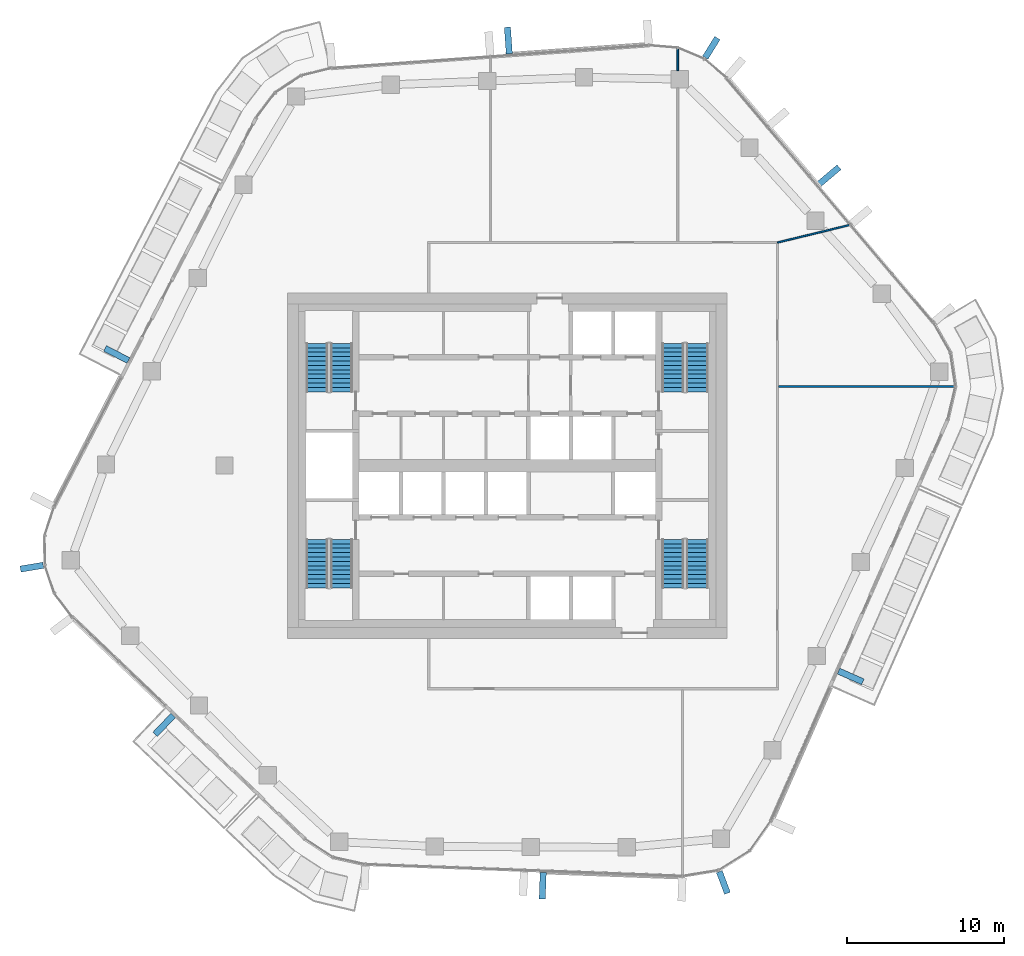
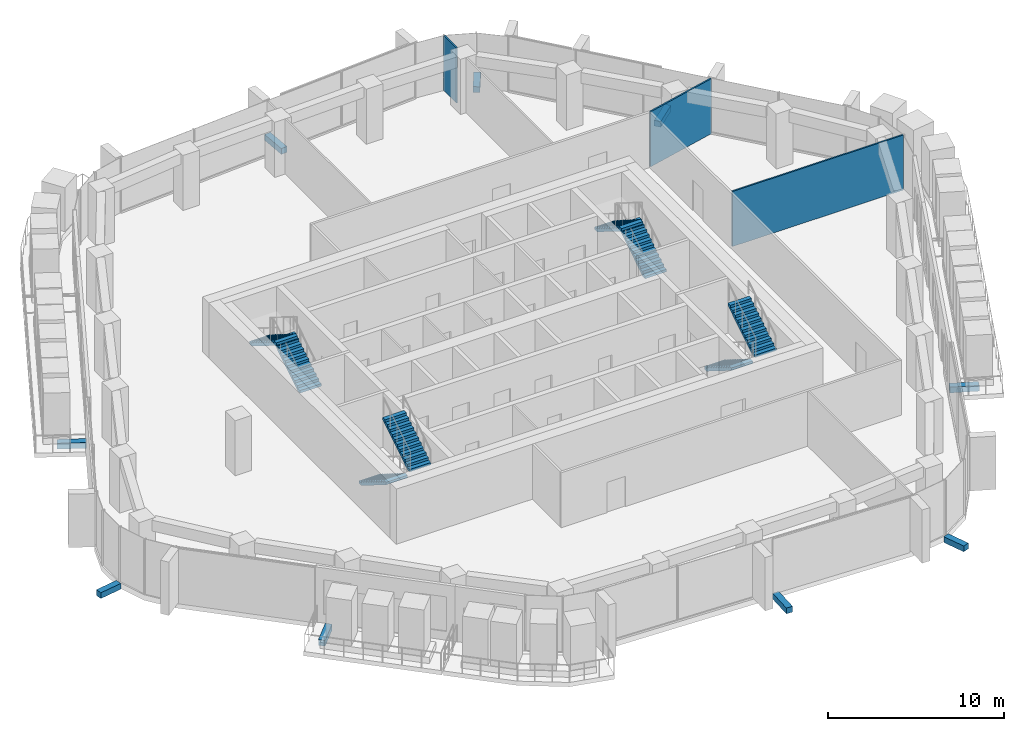
# One storey, part 14 of 21: 9 discrete accessories, 8 stair flights, 3 walls, 4 elements without a shape of their own.
"""IFC4 building model written with IfcOpenShell, lengths in metres."""

from ifc_helpers import new_model, si_unit, direction, frame, frame_2d, origin, origin_2d, place, context, subcontext, project, spatial, polyline, rectangle, outline, extrude, material, layer, layer_set, type_object, element, aggregate, save


model = new_model("IFC4")

# Units and contexts
model_context = context("Model", 3, precision=1e-05, world=origin(), true_north=direction((0.0, 1.0)))
body_context = subcontext(model_context, "Body", "Model", "MODEL_VIEW")
ifc_project = project(units=[si_unit("LENGTHUNIT", "METRE"), si_unit("AREAUNIT", "SQUARE_METRE"), si_unit("VOLUMEUNIT", "CUBIC_METRE"), si_unit("PLANEANGLEUNIT", "RADIAN"), si_unit("MASSUNIT", "GRAM", prefix="KILO")], contexts=[model_context])

# Site, building, storey
site_placement = place(None, origin())
site = spatial("IfcSite", under=ifc_project, at=site_placement, CompositionType="ELEMENT")
building_placement = place(site_placement, origin())
building = spatial("IfcBuilding", under=site, at=building_placement, Name="Dongbaek Canopy Tower", CompositionType="ELEMENT")
storey_placement = place(building_placement, frame((0.0, 0.0, 270.60009765625)))
storey = spatial("IfcBuildingStorey", under=building, at=storey_placement, Name="L57", CompositionType="ELEMENT", Elevation=270.60009765625)

# Walls
ifc_material_1 = material(Name="Gypsum board partition, steel stud, 2 x 12.5 mm board", Category="steel")
ifc_layer_1 = layer(ifc_material_1, 0.10009765625)
ifc_layer_set_1 = layer_set([ifc_layer_1], Name="Partition 100 gypsum board")
wall_type = type_object("IfcWallType", Name="Partition 100 gypsum board", PredefinedType="PARTITIONING", material=ifc_layer_set_1)
wall_1_placement = place(storey_placement, frame((17.27490234375, 5.033935546875, 0.0), z_axis=(0.0, 0.0, 1.0), x_axis=(1.0, 0.0, 0.0)))
element("IfcWall", 1, at=wall_1_placement, inside=storey, type_object=wall_type, Name="Partition", PredefinedType="PARTITIONING", context=body_context, shape_type="SweptSolid", body=[
    extrude(rectangle(XDim=11.22705078125, YDim=0.10009765625, at=frame_2d((5.613525390625, 0.0))), origin(), (0.0, 0.0, 1.0), 3.81982421875),
])
wall_2_placement = place(storey_placement, frame((17.199951171875, 14.2001953125, 0.0), z_axis=(0.0, 0.0, 1.0), x_axis=(0.971845844502, 0.235617602322, 0.0)))
element("IfcWall", 2, at=wall_2_placement, inside=storey, type_object=wall_type, Name="Partition", PredefinedType="PARTITIONING", context=body_context, shape_type="SweptSolid", body=[
    extrude(rectangle(XDim=4.7705078125, YDim=0.10009765625, at=frame_2d((2.38525390625, 0.0))), origin(), (0.0, 0.0, 1.0), 3.81982421875),
])
wall_3_placement = place(storey_placement, frame((10.85302734375, 25.14892578125, 0.0), z_axis=(0.0, 0.0, 1.0), x_axis=(0.0, 1.0, 0.0)))
element("IfcWall", 3, at=wall_3_placement, inside=storey, type_object=wall_type, Name="Partition", PredefinedType="PARTITIONING", context=body_context, shape_type="SweptSolid", body=[
    extrude(rectangle(XDim=1.42333984375, YDim=0.10009765625, at=frame_2d((0.711669921875, 0.0))), origin(), (0.0, 0.0, 1.0), 3.81982421875),
])

# Stair, stair flights
ifc_material_2 = material(Name="Concrete C40/50", Category="concrete")
stair_type = type_object("IfcStairType", Name="Core exit stair", PredefinedType="HALF_TURN_STAIR", material=ifc_material_2)
stair_1_placement = place(storey_placement, origin())
stair_1 = element("IfcStair", 4, at=stair_1_placement, inside=storey, type_object=stair_type, Name="L57 exit stair A", PredefinedType="HALF_TURN_STAIR")
ifc_material_3 = material(Name="Concrete C40/50", Category="concrete")
ifc_layer_2 = layer(ifc_material_3, 0.14990234375)
ifc_layer_set_2 = layer_set([ifc_layer_2], Name="Core stair flight 150 waist")
stair_flight_type = type_object("IfcStairFlightType", Name="Core stair flight 150 waist", PredefinedType="STRAIGHT", material=ifc_layer_set_2)
stair_flight_1_placement = place(storey_placement, frame((12.10009765625, 4.699951171875, 0.0), z_axis=(0.0, 0.0, 1.0), x_axis=(0.0, 1.0, 0.0)))
stair_flight_1 = element("IfcStairFlight", 5, at=stair_flight_1_placement, type_object=stair_flight_type, Name="ST-A flight 1", NumberOfRisers=12, NumberOfTreads=11, PredefinedType="STRAIGHT", RiserHeight=0.175, TreadLength=0.28, context=body_context, shape_type="SweptSolid", body=[
    extrude(outline(polyline([(0.0, 0.0), (0.0, 0.175048828125), (0.280029296875, 0.175048828125), (0.280029296875, 0.35009765625), (0.56005859375, 0.35009765625), (0.56005859375, 0.52490234375), (0.840087890625, 0.52490234375), (0.840087890625, 0.699951171875), (1.1201171875, 0.699951171875), (1.1201171875, 0.875), (1.39990234375, 0.875), (1.39990234375, 1.050048828125), (1.679931640625, 1.050048828125), (1.679931640625, 1.22509765625), (1.9599609375, 1.22509765625), (1.9599609375, 1.39990234375), (2.239990234375, 1.39990234375), (2.239990234375, 1.574951171875), (2.52001953125, 1.574951171875), (2.52001953125, 1.75), (2.800048828125, 1.75), (2.800048828125, 1.925048828125), (3.080078125, 1.925048828125), (3.080078125, 2.10009765625), (3.080078125, 1.748291015625), (0.28271484375, 0.0), (0.0, 0.0)])), frame((0.0, 0.699951171875, 0.0), z_axis=(0.0, -1.0, 0.0), x_axis=(1.0, 0.0, 0.0)), (0.0, 0.0, 1.0), 1.39990234375),
])
stair_flight_2_placement = place(storey_placement, frame((10.550048828125, 7.780029296875, 2.099853515625), z_axis=(0.0, 0.0, 1.0), x_axis=(0.0, -1.0, 0.0)))
stair_flight_2 = element("IfcStairFlight", 6, at=stair_flight_2_placement, type_object=stair_flight_type, Name="ST-A flight 2", NumberOfRisers=12, NumberOfTreads=11, PredefinedType="STRAIGHT", RiserHeight=0.175, TreadLength=0.28, context=body_context, shape_type="SweptSolid", body=[
    extrude(outline(polyline([(0.0, 0.0), (0.0, 0.175048828125), (0.280029296875, 0.175048828125), (0.280029296875, 0.35009765625), (0.56005859375, 0.35009765625), (0.56005859375, 0.52490234375), (0.840087890625, 0.52490234375), (0.840087890625, 0.699951171875), (1.1201171875, 0.699951171875), (1.1201171875, 0.875), (1.39990234375, 0.875), (1.39990234375, 1.050048828125), (1.679931640625, 1.050048828125), (1.679931640625, 1.22509765625), (1.9599609375, 1.22509765625), (1.9599609375, 1.39990234375), (2.239990234375, 1.39990234375), (2.239990234375, 1.574951171875), (2.52001953125, 1.574951171875), (2.52001953125, 1.75), (2.800048828125, 1.75), (2.800048828125, 1.925048828125), (3.080078125, 1.925048828125), (3.080078125, 2.10009765625), (3.080078125, 1.748291015625), (0.28271484375, 0.0), (0.0, 0.0)])), frame((0.0, 0.699951171875, 0.0), z_axis=(0.0, -1.0, 0.0), x_axis=(1.0, 0.0, 0.0)), (0.0, 0.0, 1.0), 1.39990234375),
])
aggregate(stair_1, [stair_flight_1, stair_flight_2])

stair_2_placement = place(storey_placement, origin())
stair_2 = element("IfcStair", 7, at=stair_2_placement, inside=storey, type_object=stair_type, Name="L57 exit stair C", PredefinedType="HALF_TURN_STAIR")
stair_flight_3_placement = place(storey_placement, frame((-10.550048828125, 4.699951171875, 0.0), z_axis=(0.0, 0.0, 1.0), x_axis=(0.0, 1.0, 0.0)))
stair_flight_3 = element("IfcStairFlight", 8, at=stair_flight_3_placement, type_object=stair_flight_type, Name="ST-C flight 1", NumberOfRisers=12, NumberOfTreads=11, PredefinedType="STRAIGHT", RiserHeight=0.175, TreadLength=0.28, context=body_context, shape_type="SweptSolid", body=[
    extrude(outline(polyline([(0.0, 0.0), (0.0, 0.175048828125), (0.280029296875, 0.175048828125), (0.280029296875, 0.35009765625), (0.56005859375, 0.35009765625), (0.56005859375, 0.52490234375), (0.840087890625, 0.52490234375), (0.840087890625, 0.699951171875), (1.1201171875, 0.699951171875), (1.1201171875, 0.875), (1.39990234375, 0.875), (1.39990234375, 1.050048828125), (1.679931640625, 1.050048828125), (1.679931640625, 1.22509765625), (1.9599609375, 1.22509765625), (1.9599609375, 1.39990234375), (2.239990234375, 1.39990234375), (2.239990234375, 1.574951171875), (2.52001953125, 1.574951171875), (2.52001953125, 1.75), (2.800048828125, 1.75), (2.800048828125, 1.925048828125), (3.080078125, 1.925048828125), (3.080078125, 2.10009765625), (3.080078125, 1.748291015625), (0.28271484375, 0.0), (0.0, 0.0)])), frame((0.0, 0.699951171875, 0.0), z_axis=(0.0, -1.0, 0.0), x_axis=(1.0, 0.0, 0.0)), (0.0, 0.0, 1.0), 1.39990234375),
])
stair_flight_4_placement = place(storey_placement, frame((-12.10009765625, 7.780029296875, 2.099853515625), z_axis=(0.0, 0.0, 1.0), x_axis=(0.0, -1.0, 0.0)))
stair_flight_4 = element("IfcStairFlight", 9, at=stair_flight_4_placement, type_object=stair_flight_type, Name="ST-C flight 2", NumberOfRisers=12, NumberOfTreads=11, PredefinedType="STRAIGHT", RiserHeight=0.175, TreadLength=0.28, context=body_context, shape_type="SweptSolid", body=[
    extrude(outline(polyline([(0.0, 0.0), (0.0, 0.175048828125), (0.280029296875, 0.175048828125), (0.280029296875, 0.35009765625), (0.56005859375, 0.35009765625), (0.56005859375, 0.52490234375), (0.840087890625, 0.52490234375), (0.840087890625, 0.699951171875), (1.1201171875, 0.699951171875), (1.1201171875, 0.875), (1.39990234375, 0.875), (1.39990234375, 1.050048828125), (1.679931640625, 1.050048828125), (1.679931640625, 1.22509765625), (1.9599609375, 1.22509765625), (1.9599609375, 1.39990234375), (2.239990234375, 1.39990234375), (2.239990234375, 1.574951171875), (2.52001953125, 1.574951171875), (2.52001953125, 1.75), (2.800048828125, 1.75), (2.800048828125, 1.925048828125), (3.080078125, 1.925048828125), (3.080078125, 2.10009765625), (3.080078125, 1.748291015625), (0.28271484375, 0.0), (0.0, 0.0)])), frame((0.0, 0.699951171875, 0.0), z_axis=(0.0, -1.0, 0.0), x_axis=(1.0, 0.0, 0.0)), (0.0, 0.0, 1.0), 1.39990234375),
])
aggregate(stair_2, [stair_flight_3, stair_flight_4])

stair_3_placement = place(storey_placement, origin())
stair_3 = element("IfcStair", 10, at=stair_3_placement, inside=storey, type_object=stair_type, Name="L57 exit stair B", PredefinedType="HALF_TURN_STAIR")
stair_flight_5_placement = place(storey_placement, frame((10.550048828125, -4.699951171875, 0.0), z_axis=(0.0, 0.0, 1.0), x_axis=(0.0, -1.0, 0.0)))
stair_flight_5 = element("IfcStairFlight", 11, at=stair_flight_5_placement, type_object=stair_flight_type, Name="ST-B flight 1", NumberOfRisers=12, NumberOfTreads=11, PredefinedType="STRAIGHT", RiserHeight=0.175, TreadLength=0.28, context=body_context, shape_type="SweptSolid", body=[
    extrude(outline(polyline([(0.0, 0.0), (0.0, 0.175048828125), (0.280029296875, 0.175048828125), (0.280029296875, 0.35009765625), (0.56005859375, 0.35009765625), (0.56005859375, 0.52490234375), (0.840087890625, 0.52490234375), (0.840087890625, 0.699951171875), (1.1201171875, 0.699951171875), (1.1201171875, 0.875), (1.39990234375, 0.875), (1.39990234375, 1.050048828125), (1.679931640625, 1.050048828125), (1.679931640625, 1.22509765625), (1.9599609375, 1.22509765625), (1.9599609375, 1.39990234375), (2.239990234375, 1.39990234375), (2.239990234375, 1.574951171875), (2.52001953125, 1.574951171875), (2.52001953125, 1.75), (2.800048828125, 1.75), (2.800048828125, 1.925048828125), (3.080078125, 1.925048828125), (3.080078125, 2.10009765625), (3.080078125, 1.748291015625), (0.28271484375, 0.0), (0.0, 0.0)])), frame((0.0, 0.699951171875, 0.0), z_axis=(0.0, -1.0, 0.0), x_axis=(1.0, 0.0, 0.0)), (0.0, 0.0, 1.0), 1.39990234375),
])
stair_flight_6_placement = place(storey_placement, frame((12.10009765625, -7.780029296875, 2.099853515625), z_axis=(0.0, 0.0, 1.0), x_axis=(0.0, 1.0, 0.0)))
stair_flight_6 = element("IfcStairFlight", 12, at=stair_flight_6_placement, type_object=stair_flight_type, Name="ST-B flight 2", NumberOfRisers=12, NumberOfTreads=11, PredefinedType="STRAIGHT", RiserHeight=0.175, TreadLength=0.28, context=body_context, shape_type="SweptSolid", body=[
    extrude(outline(polyline([(0.0, 0.0), (0.0, 0.175048828125), (0.280029296875, 0.175048828125), (0.280029296875, 0.35009765625), (0.56005859375, 0.35009765625), (0.56005859375, 0.52490234375), (0.840087890625, 0.52490234375), (0.840087890625, 0.699951171875), (1.1201171875, 0.699951171875), (1.1201171875, 0.875), (1.39990234375, 0.875), (1.39990234375, 1.050048828125), (1.679931640625, 1.050048828125), (1.679931640625, 1.22509765625), (1.9599609375, 1.22509765625), (1.9599609375, 1.39990234375), (2.239990234375, 1.39990234375), (2.239990234375, 1.574951171875), (2.52001953125, 1.574951171875), (2.52001953125, 1.75), (2.800048828125, 1.75), (2.800048828125, 1.925048828125), (3.080078125, 1.925048828125), (3.080078125, 2.10009765625), (3.080078125, 1.748291015625), (0.28271484375, 0.0), (0.0, 0.0)])), frame((0.0, 0.699951171875, 0.0), z_axis=(0.0, -1.0, 0.0), x_axis=(1.0, 0.0, 0.0)), (0.0, 0.0, 1.0), 1.39990234375),
])
aggregate(stair_3, [stair_flight_5, stair_flight_6])

stair_4_placement = place(storey_placement, origin())
stair_4 = element("IfcStair", 13, at=stair_4_placement, inside=storey, type_object=stair_type, Name="L57 exit stair D", PredefinedType="HALF_TURN_STAIR")
stair_flight_7_placement = place(storey_placement, frame((-12.10009765625, -4.699951171875, 0.0), z_axis=(0.0, 0.0, 1.0), x_axis=(0.0, -1.0, 0.0)))
stair_flight_7 = element("IfcStairFlight", 14, at=stair_flight_7_placement, type_object=stair_flight_type, Name="ST-D flight 1", NumberOfRisers=12, NumberOfTreads=11, PredefinedType="STRAIGHT", RiserHeight=0.175, TreadLength=0.28, context=body_context, shape_type="SweptSolid", body=[
    extrude(outline(polyline([(0.0, 0.0), (0.0, 0.175048828125), (0.280029296875, 0.175048828125), (0.280029296875, 0.35009765625), (0.56005859375, 0.35009765625), (0.56005859375, 0.52490234375), (0.840087890625, 0.52490234375), (0.840087890625, 0.699951171875), (1.1201171875, 0.699951171875), (1.1201171875, 0.875), (1.39990234375, 0.875), (1.39990234375, 1.050048828125), (1.679931640625, 1.050048828125), (1.679931640625, 1.22509765625), (1.9599609375, 1.22509765625), (1.9599609375, 1.39990234375), (2.239990234375, 1.39990234375), (2.239990234375, 1.574951171875), (2.52001953125, 1.574951171875), (2.52001953125, 1.75), (2.800048828125, 1.75), (2.800048828125, 1.925048828125), (3.080078125, 1.925048828125), (3.080078125, 2.10009765625), (3.080078125, 1.748291015625), (0.28271484375, 0.0), (0.0, 0.0)])), frame((0.0, 0.699951171875, 0.0), z_axis=(0.0, -1.0, 0.0), x_axis=(1.0, 0.0, 0.0)), (0.0, 0.0, 1.0), 1.39990234375),
])
stair_flight_8_placement = place(storey_placement, frame((-10.550048828125, -7.780029296875, 2.099853515625), z_axis=(0.0, 0.0, 1.0), x_axis=(0.0, 1.0, 0.0)))
stair_flight_8 = element("IfcStairFlight", 15, at=stair_flight_8_placement, type_object=stair_flight_type, Name="ST-D flight 2", NumberOfRisers=12, NumberOfTreads=11, PredefinedType="STRAIGHT", RiserHeight=0.175, TreadLength=0.28, context=body_context, shape_type="SweptSolid", body=[
    extrude(outline(polyline([(0.0, 0.0), (0.0, 0.175048828125), (0.280029296875, 0.175048828125), (0.280029296875, 0.35009765625), (0.56005859375, 0.35009765625), (0.56005859375, 0.52490234375), (0.840087890625, 0.52490234375), (0.840087890625, 0.699951171875), (1.1201171875, 0.699951171875), (1.1201171875, 0.875), (1.39990234375, 0.875), (1.39990234375, 1.050048828125), (1.679931640625, 1.050048828125), (1.679931640625, 1.22509765625), (1.9599609375, 1.22509765625), (1.9599609375, 1.39990234375), (2.239990234375, 1.39990234375), (2.239990234375, 1.574951171875), (2.52001953125, 1.574951171875), (2.52001953125, 1.75), (2.800048828125, 1.75), (2.800048828125, 1.925048828125), (3.080078125, 1.925048828125), (3.080078125, 2.10009765625), (3.080078125, 1.748291015625), (0.28271484375, 0.0), (0.0, 0.0)])), frame((0.0, 0.699951171875, 0.0), z_axis=(0.0, -1.0, 0.0), x_axis=(1.0, 0.0, 0.0)), (0.0, 0.0, 1.0), 1.39990234375),
])
aggregate(stair_4, [stair_flight_7, stair_flight_8])

# Discrete accessories
ifc_material_4 = material(Name="Galvanised steel S355 bracket", Category="steel")
discrete_accessory_type = type_object("IfcDiscreteAccessoryType", Name="Crease fin bracket BR3 400", PredefinedType="BRACKET", material=ifc_material_4)
discrete_accessory_1_placement = place(storey_placement, frame((20.472412109375, 18.441650390625, -0.39013671875), z_axis=(0.0, 0.0, 1.0), x_axis=(0.763291106991, 0.6460547082, 0.0)))
element("IfcDiscreteAccessory", 16, at=discrete_accessory_1_placement, inside=storey, type_object=discrete_accessory_type, Name="Crease fin bracket L57 F0", PredefinedType="BRACKET", context=body_context, shape_type="SweptSolid", body=[
    extrude(rectangle(XDim=1.705810546875, YDim=0.39990234375, at=origin_2d()), origin(), (0.0, 0.0, 1.0), 0.39990234375),
])
discrete_accessory_2_placement = place(storey_placement, frame((0.0712890625, 27.06005859375, -0.39013671875), z_axis=(0.0, 0.0, 1.0), x_axis=(-0.07174464462, 0.997423032604, 0.0)))
element("IfcDiscreteAccessory", 17, at=discrete_accessory_2_placement, inside=storey, type_object=discrete_accessory_type, Name="Crease fin bracket L57 F1", PredefinedType="BRACKET", context=body_context, shape_type="SweptSolid", body=[
    extrude(rectangle(XDim=1.69970703125, YDim=0.39990234375, at=origin_2d()), origin(), (0.0, 0.0, 1.0), 0.39990234375),
])
discrete_accessory_3_placement = place(storey_placement, frame((-24.85986328125, 7.07666015625, -0.39013671875), z_axis=(0.0, 0.0, 1.0), x_axis=(-0.887462519706, 0.460879893376, 0.0)))
element("IfcDiscreteAccessory", 18, at=discrete_accessory_3_placement, inside=storey, type_object=discrete_accessory_type, Name="Crease fin bracket L57 F2", PredefinedType="BRACKET", context=body_context, shape_type="SweptSolid", body=[
    extrude(rectangle(XDim=1.677001953125, YDim=0.39990234375, at=origin_2d()), origin(), (0.0, 0.0, 1.0), 0.39990234375),
])
discrete_accessory_4_placement = place(storey_placement, frame((-21.839111328125, -16.506103515625, -0.39013671875), z_axis=(0.0, 0.0, 1.0), x_axis=(-0.690481047292, -0.723350484434, 0.0)))
element("IfcDiscreteAccessory", 19, at=discrete_accessory_4_placement, inside=storey, type_object=discrete_accessory_type, Name="Crease fin bracket L57 F3", PredefinedType="BRACKET", context=body_context, shape_type="SweptSolid", body=[
    extrude(rectangle(XDim=1.6728515625, YDim=0.39990234375, at=origin_2d()), origin(), (0.0, 0.0, 1.0), 0.39990234375),
])
discrete_accessory_5_placement = place(storey_placement, frame((2.259765625, -26.742431640625, -0.39013671875), z_axis=(0.0, 0.0, 1.0), x_axis=(-0.036873936466, -0.999319925154, 0.0)))
element("IfcDiscreteAccessory", 20, at=discrete_accessory_5_placement, inside=storey, type_object=discrete_accessory_type, Name="Crease fin bracket L57 F4", PredefinedType="BRACKET", context=body_context, shape_type="SweptSolid", body=[
    extrude(rectangle(XDim=1.680419921875, YDim=0.39990234375, at=origin_2d()), origin(), (0.0, 0.0, 1.0), 0.39990234375),
])
discrete_accessory_6_placement = place(storey_placement, frame((21.864013671875, -13.4228515625, -0.39013671875), z_axis=(0.0, 0.0, 1.0), x_axis=(0.915073027151, -0.403288178578, 0.0)))
element("IfcDiscreteAccessory", 21, at=discrete_accessory_6_placement, inside=storey, type_object=discrete_accessory_type, Name="Crease fin bracket L57 F5", PredefinedType="BRACKET", context=body_context, shape_type="SweptSolid", body=[
    extrude(rectangle(XDim=1.688720703125, YDim=0.39990234375, at=origin_2d()), origin(), (0.0, 0.0, 1.0), 0.39990234375),
])
for number, where, z_axis, x_axis, name in (
    (22, (12.990966796875, 26.590576171875, -0.39013671875), (0.0, 0.0, 1.0), (0.526936511908, 0.849904649016, 0.0), "Corner fin bracket L57 K1"),
    (23, (-30.25732421875, -6.46630859375, -0.39013671875), (0.0, 0.0, 1.0), (-0.986446731752, -0.164081825364, 0.0), "Corner fin bracket L57 K3"),
    (24, (13.75927734375, -26.5361328125, -0.39013671875), (0.0, 0.0, 1.0), (0.35287395283, -0.935670868102, 0.0), "Corner fin bracket L57 K5"),
):
    element("IfcDiscreteAccessory", number, at=place(storey_placement, frame(where, z_axis=z_axis, x_axis=x_axis)), inside=storey, type_object=discrete_accessory_type, Name=name, PredefinedType="BRACKET", context=body_context, shape_type="SweptSolid", body=[
        extrude(rectangle(XDim=1.469970703125, YDim=0.39990234375, at=origin_2d()), origin(), (0.0, 0.0, 1.0), 0.39990234375),
    ])

save(model, "model.ifc")
